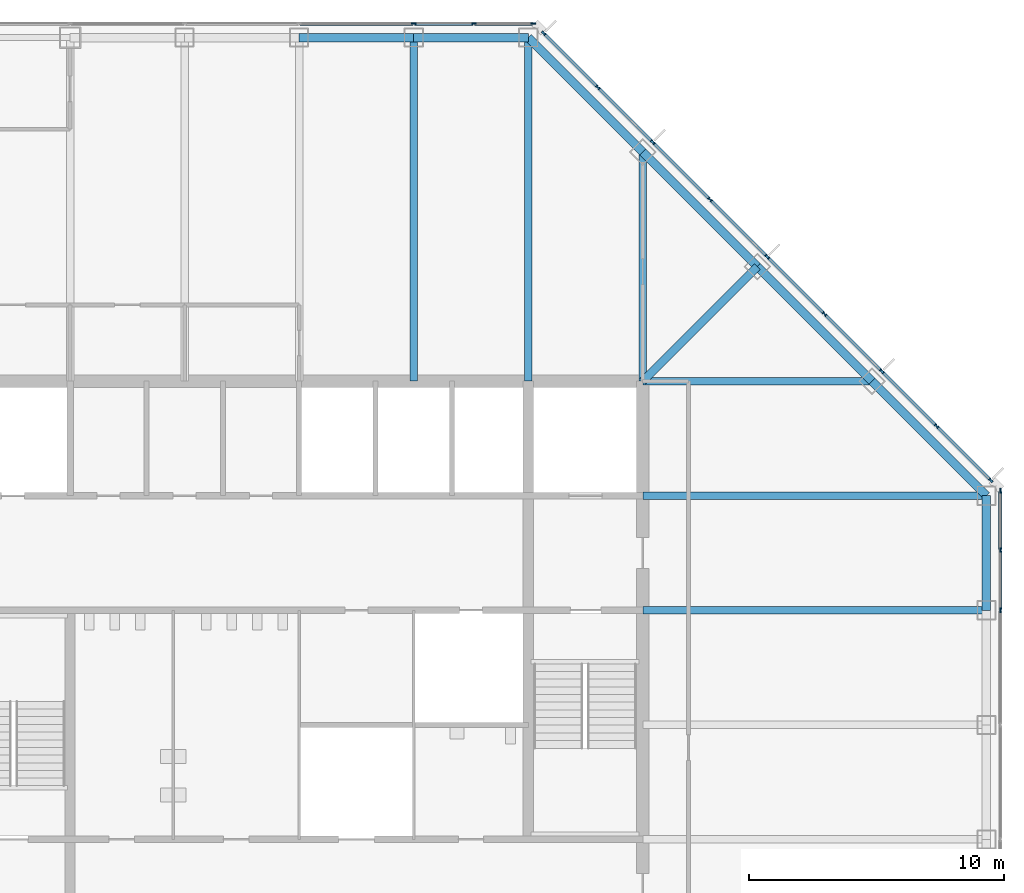
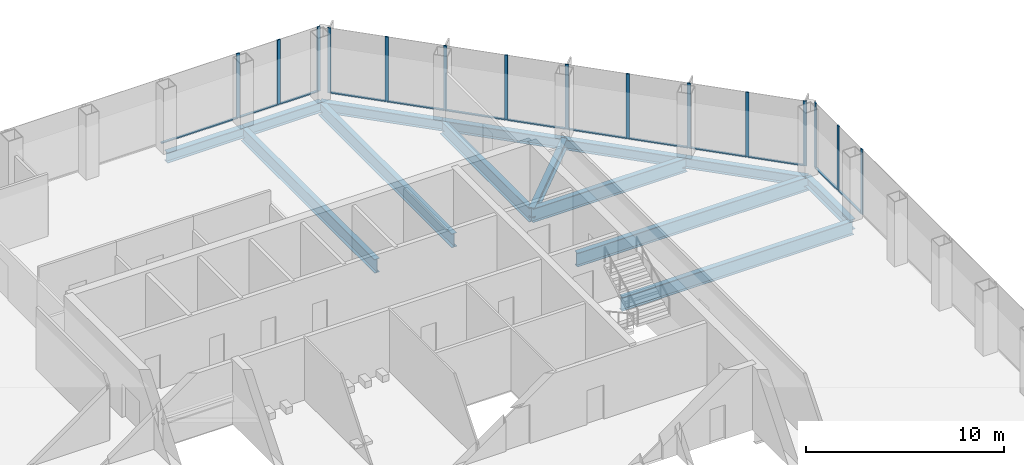
# One storey, part 6 of 12: 28 members, 14 beams, 3 elements without a shape of their own.
"""IFC4 building model written with IfcOpenShell, lengths in metres."""

from ifc_helpers import new_model, si_unit, direction, frame, origin, origin_2d, place, context, subcontext, project, spatial, rectangle, i_section, extrude, material, material_profile, profile_set, type_object, element, aggregate, save


model = new_model("IFC4")

# Units and contexts
model_context = context("Model", 3, precision=1e-05, world=origin(), true_north=direction((0.0, 1.0)))
body_context = subcontext(model_context, "Body", "Model", "MODEL_VIEW")
ifc_project = project(units=[si_unit("LENGTHUNIT", "METRE"), si_unit("AREAUNIT", "SQUARE_METRE"), si_unit("VOLUMEUNIT", "CUBIC_METRE"), si_unit("PLANEANGLEUNIT", "RADIAN"), si_unit("MASSUNIT", "GRAM", prefix="KILO")], contexts=[model_context])

# Site, building, storey
site_placement = place(None, origin())
site = spatial("IfcSite", under=ifc_project, at=site_placement, CompositionType="ELEMENT")
building_placement = place(site_placement, origin())
building = spatial("IfcBuilding", under=site, at=building_placement, Name="Corais Broadcast Tower", CompositionType="ELEMENT")
storey_placement = place(building_placement, frame((0.0, 0.0, 127.60009765625)))
storey = spatial("IfcBuildingStorey", under=building, at=storey_placement, Name="L28", CompositionType="ELEMENT", Elevation=127.60009765625)

# Beams
ifc_material_1 = material(Name="Steel ASTM A572 Grade 50", Category="steel")
ifc_material_profile_1 = material_profile(ifc_material_1, i_section(OverallWidth=0.323974609375, OverallDepth=0.611083984375, WebThickness=0.0126953125, FlangeThickness=0.01904296875, at=origin_2d()), Name="W610x155")
ifc_profile_set_1 = profile_set([ifc_material_profile_1], Name="Steel ASTM A572 Grade 50")
beam_type_1 = type_object("IfcBeamType", Name="Corner diagonal W610x155", PredefinedType="BEAM", material=ifc_profile_set_1)
beam_1_placement = place(storey_placement, frame((45.0, 45.0, -0.465576171875), z_axis=(-0.707106781187, -0.707106781187, 0.0), x_axis=(0.707106781187, -0.707106781187, 0.0)))
element("IfcBeam", 1, at=beam_1_placement, inside=storey, type_object=beam_type_1, Name="B6 L/13 to K/12", PredefinedType="BEAM", context=body_context, shape_type="SweptSolid", body=[
    extrude(i_section(OverallWidth=0.323974609375, OverallDepth=0.611083984375, WebThickness=0.0126953125, FlangeThickness=0.01904296875, at=origin_2d()), origin(), (0.0, 0.0, 1.0), 6.364013671875),
])
ifc_material_2 = material(Name="Steel ASTM A572 Grade 50", Category="steel")
ifc_material_profile_2 = material_profile(ifc_material_2, i_section(OverallWidth=0.2939453125, OverallDepth=0.85107421875, WebThickness=0.01611328125, FlangeThickness=0.02685546875, at=origin_2d()), Name="W840x226")
ifc_profile_set_2 = profile_set([ifc_material_profile_2], Name="Steel ASTM A572 Grade 50")
beam_type_2 = type_object("IfcBeamType", Name="Floor beam W840x226", PredefinedType="BEAM", material=ifc_profile_set_2)
for number, where, z_axis, x_axis, name in (
    (2, (31.5, 54.0, -0.585693359375), (0.0, -1.0, 0.0), (1.0, 0.0, 0.0), "B1 N/10 to K/10"),
    (3, (36.0, 54.0, -0.585693359375), (0.0, -1.0, 0.0), (1.0, 0.0, 0.0), "B1 N/11 to K/11"),
):
    element("IfcBeam", number, at=place(storey_placement, frame(where, z_axis=z_axis, x_axis=x_axis)), inside=storey, type_object=beam_type_2, Name=name, PredefinedType="BEAM", context=body_context, shape_type="SweptSolid", body=[
        extrude(i_section(OverallWidth=0.2939453125, OverallDepth=0.85107421875, WebThickness=0.01611328125, FlangeThickness=0.02685546875, at=origin_2d()), origin(), (0.0, 0.0, 1.0), 13.5),
    ])
for number, where, z_axis, x_axis, name in (
    (4, (40.5, 49.5, -0.585693359375), (0.0, -1.0, 0.0), (1.0, 0.0, 0.0), "B1 M/12 to K/12"),
    (5, (49.5, 40.5, -0.585693359375), (-1.0, 0.0, 0.0), (0.0, -1.0, 0.0), "B1 K/14 to K/12"),
):
    element("IfcBeam", number, at=place(storey_placement, frame(where, z_axis=z_axis, x_axis=x_axis)), inside=storey, type_object=beam_type_2, Name=name, PredefinedType="BEAM", context=body_context, shape_type="SweptSolid", body=[
        extrude(i_section(OverallWidth=0.2939453125, OverallDepth=0.85107421875, WebThickness=0.01611328125, FlangeThickness=0.02685546875, at=origin_2d()), origin(), (0.0, 0.0, 1.0), 9.0),
    ])
for number, where, z_axis, x_axis, name in (
    (6, (54.0, 31.5, -0.585693359375), (-1.0, 0.0, 0.0), (0.0, -1.0, 0.0), "B1 H/15 to H/12"),
    (7, (54.0, 36.0, -0.585693359375), (-1.0, 0.0, 0.0), (0.0, -1.0, 0.0), "B1 J/15 to J/12"),
):
    element("IfcBeam", number, at=place(storey_placement, frame(where, z_axis=z_axis, x_axis=x_axis)), inside=storey, type_object=beam_type_2, Name=name, PredefinedType="BEAM", context=body_context, shape_type="SweptSolid", body=[
        extrude(i_section(OverallWidth=0.2939453125, OverallDepth=0.85107421875, WebThickness=0.01611328125, FlangeThickness=0.02685546875, at=origin_2d()), origin(), (0.0, 0.0, 1.0), 13.5),
    ])

# Curtain wall, members
ifc_material_3 = material(Name="Aluminium and glass", Category="aluminium")
curtain_wall_type = type_object("IfcCurtainWallType", Name="Unitised fritted curtain wall CW2", PredefinedType="NOTDEFINED", material=ifc_material_3)
curtain_wall_1_placement = place(storey_placement, origin())
curtain_wall_1 = element("IfcCurtainWall", 8, at=curtain_wall_1_placement, inside=storey, type_object=curtain_wall_type, Name="CW2 curtain wall L28 4", PredefinedType="NOTDEFINED")
ifc_material_4 = material(Name="Aluminium 6063-T6", Category="aluminium")
ifc_material_profile_3 = material_profile(ifc_material_4, rectangle(XDim=0.06494140625, YDim=0.179931640625, at=origin_2d()), Name="Mullion CW2 65x180")
ifc_profile_set_3 = profile_set([ifc_material_profile_3], Name="Aluminium 6063-T6")
member_type_1 = type_object("IfcMemberType", Name="Mullion CW2 65x180", PredefinedType="MULLION", material=ifc_profile_set_3)
member_1_placement = place(storey_placement, frame((31.5, 54.550048828125, 0.0), z_axis=(0.0, 0.0, 1.0), x_axis=(0.0, 1.0, 0.0)))
member_1 = element("IfcMember", 9, at=member_1_placement, type_object=member_type_1, Name="CW2 mullion 7", PredefinedType="MULLION", context=body_context, shape_type="SweptSolid", body=[
    extrude(rectangle(XDim=0.06494140625, YDim=0.179931640625, at=origin_2d()), origin(), (0.0, 0.0, 1.0), 4.0),
])
member_2_placement = place(storey_placement, frame((33.864013671875, 54.550048828125, 0.0), z_axis=(0.0, 0.0, 1.0), x_axis=(0.0, 1.0, 0.0)))
member_2 = element("IfcMember", 10, at=member_2_placement, type_object=member_type_1, Name="CW2 mullion 8", PredefinedType="MULLION", context=body_context, shape_type="SweptSolid", body=[
    extrude(rectangle(XDim=0.06494140625, YDim=0.179931640625, at=origin_2d()), origin(), (0.0, 0.0, 1.0), 4.0),
])
member_3_placement = place(storey_placement, frame((36.1953125, 54.550048828125, 0.0), z_axis=(0.0, 0.0, 1.0), x_axis=(0.0, 1.0, 0.0)))
member_3 = element("IfcMember", 11, at=member_3_placement, type_object=member_type_1, Name="CW2 mullion 9", PredefinedType="MULLION", context=body_context, shape_type="SweptSolid", body=[
    extrude(rectangle(XDim=0.06494140625, YDim=0.179931640625, at=origin_2d()), origin(), (0.0, 0.0, 1.0), 4.0),
])

curtain_wall_2_placement = place(storey_placement, origin())
curtain_wall_2 = element("IfcCurtainWall", 12, at=curtain_wall_2_placement, inside=storey, type_object=curtain_wall_type, Name="CW2 curtain wall L28 5", PredefinedType="NOTDEFINED")
member_4_placement = place(storey_placement, frame((36.6044921875, 54.17333984375, 0.0), z_axis=(0.0, 0.0, 1.0), x_axis=(0.707106781187, 0.707106781187, 0.0)))
member_4 = element("IfcMember", 13, at=member_4_placement, type_object=member_type_1, Name="CW2 mullion 1", PredefinedType="MULLION", context=body_context, shape_type="SweptSolid", body=[
    extrude(rectangle(XDim=0.06494140625, YDim=0.179931640625, at=origin_2d()), origin(), (0.0, 0.0, 1.0), 4.0),
])
member_5_placement = place(storey_placement, frame((38.735107421875, 52.042724609375, 0.0), z_axis=(0.0, 0.0, 1.0), x_axis=(0.707106781187, 0.707106781187, 0.0)))
member_5 = element("IfcMember", 14, at=member_5_placement, type_object=member_type_1, Name="CW2 mullion 2", PredefinedType="MULLION", context=body_context, shape_type="SweptSolid", body=[
    extrude(rectangle(XDim=0.06494140625, YDim=0.179931640625, at=origin_2d()), origin(), (0.0, 0.0, 1.0), 4.0),
])
member_6_placement = place(storey_placement, frame((40.888916015625, 49.888916015625, 0.0), z_axis=(0.0, 0.0, 1.0), x_axis=(0.707106781187, 0.707106781187, 0.0)))
member_6 = element("IfcMember", 15, at=member_6_placement, type_object=member_type_1, Name="CW2 mullion 3", PredefinedType="MULLION", context=body_context, shape_type="SweptSolid", body=[
    extrude(rectangle(XDim=0.06494140625, YDim=0.179931640625, at=origin_2d()), origin(), (0.0, 0.0, 1.0), 4.0),
])
member_7_placement = place(storey_placement, frame((43.138916015625, 47.638916015625, 0.0), z_axis=(0.0, 0.0, 1.0), x_axis=(0.707106781187, 0.707106781187, 0.0)))
member_7 = element("IfcMember", 16, at=member_7_placement, type_object=member_type_1, Name="CW2 mullion 4", PredefinedType="MULLION", context=body_context, shape_type="SweptSolid", body=[
    extrude(rectangle(XDim=0.06494140625, YDim=0.179931640625, at=origin_2d()), origin(), (0.0, 0.0, 1.0), 4.0),
])
member_8_placement = place(storey_placement, frame((45.388916015625, 45.388916015625, 0.0), z_axis=(0.0, 0.0, 1.0), x_axis=(0.707106781187, 0.707106781187, 0.0)))
member_8 = element("IfcMember", 17, at=member_8_placement, type_object=member_type_1, Name="CW2 mullion 5", PredefinedType="MULLION", context=body_context, shape_type="SweptSolid", body=[
    extrude(rectangle(XDim=0.06494140625, YDim=0.179931640625, at=origin_2d()), origin(), (0.0, 0.0, 1.0), 4.0),
])
member_9_placement = place(storey_placement, frame((47.638916015625, 43.138916015625, 0.0), z_axis=(0.0, 0.0, 1.0), x_axis=(0.707106781187, 0.707106781187, 0.0)))
member_9 = element("IfcMember", 18, at=member_9_placement, type_object=member_type_1, Name="CW2 mullion 6", PredefinedType="MULLION", context=body_context, shape_type="SweptSolid", body=[
    extrude(rectangle(XDim=0.06494140625, YDim=0.179931640625, at=origin_2d()), origin(), (0.0, 0.0, 1.0), 4.0),
])
member_10_placement = place(storey_placement, frame((49.888916015625, 40.888916015625, 0.0), z_axis=(0.0, 0.0, 1.0), x_axis=(0.707106781187, 0.707106781187, 0.0)))
member_10 = element("IfcMember", 19, at=member_10_placement, type_object=member_type_1, Name="CW2 mullion 7", PredefinedType="MULLION", context=body_context, shape_type="SweptSolid", body=[
    extrude(rectangle(XDim=0.06494140625, YDim=0.179931640625, at=origin_2d()), origin(), (0.0, 0.0, 1.0), 4.0),
])
member_11_placement = place(storey_placement, frame((52.042724609375, 38.735107421875, 0.0), z_axis=(0.0, 0.0, 1.0), x_axis=(0.707106781187, 0.707106781187, 0.0)))
member_11 = element("IfcMember", 20, at=member_11_placement, type_object=member_type_1, Name="CW2 mullion 8", PredefinedType="MULLION", context=body_context, shape_type="SweptSolid", body=[
    extrude(rectangle(XDim=0.06494140625, YDim=0.179931640625, at=origin_2d()), origin(), (0.0, 0.0, 1.0), 4.0),
])
member_12_placement = place(storey_placement, frame((54.17333984375, 36.6044921875, 0.0), z_axis=(0.0, 0.0, 1.0), x_axis=(0.707106781187, 0.707106781187, 0.0)))
member_12 = element("IfcMember", 21, at=member_12_placement, type_object=member_type_1, Name="CW2 mullion 9", PredefinedType="MULLION", context=body_context, shape_type="SweptSolid", body=[
    extrude(rectangle(XDim=0.06494140625, YDim=0.179931640625, at=origin_2d()), origin(), (0.0, 0.0, 1.0), 4.0),
])

curtain_wall_3_placement = place(storey_placement, origin())
curtain_wall_3 = element("IfcCurtainWall", 22, at=curtain_wall_3_placement, inside=storey, type_object=curtain_wall_type, Name="CW2 curtain wall L28 6", PredefinedType="NOTDEFINED")
member_13_placement = place(storey_placement, frame((54.550048828125, 36.1953125, 0.0), z_axis=(0.0, 0.0, 1.0), x_axis=(1.0, 0.0, 0.0)))
member_13 = element("IfcMember", 23, at=member_13_placement, type_object=member_type_1, Name="CW2 mullion 1", PredefinedType="MULLION", context=body_context, shape_type="SweptSolid", body=[
    extrude(rectangle(XDim=0.06494140625, YDim=0.179931640625, at=origin_2d()), origin(), (0.0, 0.0, 1.0), 4.0),
])
member_14_placement = place(storey_placement, frame((54.550048828125, 33.864013671875, 0.0), z_axis=(0.0, 0.0, 1.0), x_axis=(1.0, 0.0, 0.0)))
member_14 = element("IfcMember", 24, at=member_14_placement, type_object=member_type_1, Name="CW2 mullion 2", PredefinedType="MULLION", context=body_context, shape_type="SweptSolid", body=[
    extrude(rectangle(XDim=0.06494140625, YDim=0.179931640625, at=origin_2d()), origin(), (0.0, 0.0, 1.0), 4.0),
])
member_15_placement = place(storey_placement, frame((54.550048828125, 31.5, 0.0), z_axis=(0.0, 0.0, 1.0), x_axis=(1.0, 0.0, 0.0)))
member_15 = element("IfcMember", 25, at=member_15_placement, type_object=member_type_1, Name="CW2 mullion 3", PredefinedType="MULLION", context=body_context, shape_type="SweptSolid", body=[
    extrude(rectangle(XDim=0.06494140625, YDim=0.179931640625, at=origin_2d()), origin(), (0.0, 0.0, 1.0), 4.0),
])

# Beams
ifc_material_5 = material(Name="Steel ASTM A572 Grade 50", Category="steel")
ifc_material_profile_4 = material_profile(ifc_material_5, i_section(OverallWidth=0.3291015625, OverallDepth=0.635009765625, WebThickness=0.017822265625, FlangeThickness=0.031005859375, at=origin_2d()), Name="W610x241")
ifc_profile_set_4 = profile_set([ifc_material_profile_4], Name="Steel ASTM A572 Grade 50")
beam_type_3 = type_object("IfcBeamType", Name="Spandrel W610x241", PredefinedType="BEAM", material=ifc_profile_set_4)
for number, where, z_axis, x_axis, name in (
    (26, (31.5, 54.0, -0.4775390625), (-1.0, 0.0, 0.0), (0.0, -1.0, 0.0), "SB1 N/10 to N/9"),
    (27, (36.0, 54.0, -0.4775390625), (-1.0, 0.0, 0.0), (0.0, -1.0, 0.0), "SB1 N/11 to N/10"),
):
    element("IfcBeam", number, at=place(storey_placement, frame(where, z_axis=z_axis, x_axis=x_axis)), inside=storey, type_object=beam_type_3, Name=name, PredefinedType="BEAM", context=body_context, shape_type="SweptSolid", body=[
        extrude(i_section(OverallWidth=0.3291015625, OverallDepth=0.635009765625, WebThickness=0.017822265625, FlangeThickness=0.031005859375, at=origin_2d()), origin(), (0.0, 0.0, 1.0), 4.5),
    ])
for number, where, z_axis, x_axis, name in (
    (28, (40.5, 49.5, -0.4775390625), (-0.707106781187, 0.707106781187, 0.0), (-0.707106781187, -0.707106781187, 0.0), "SB1 M/12 to N/11"),
    (29, (45.0, 45.0, -0.4775390625), (-0.707106781187, 0.707106781187, 0.0), (-0.707106781187, -0.707106781187, 0.0), "SB1 L/13 to M/12"),
    (30, (49.5, 40.5, -0.4775390625), (-0.707106781187, 0.707106781187, 0.0), (-0.707106781187, -0.707106781187, 0.0), "SB1 K/14 to L/13"),
):
    element("IfcBeam", number, at=place(storey_placement, frame(where, z_axis=z_axis, x_axis=x_axis)), inside=storey, type_object=beam_type_3, Name=name, PredefinedType="BEAM", context=body_context, shape_type="SweptSolid", body=[
        extrude(i_section(OverallWidth=0.3291015625, OverallDepth=0.635009765625, WebThickness=0.017822265625, FlangeThickness=0.031005859375, at=origin_2d()), origin(), (0.0, 0.0, 1.0), 6.364013671875),
    ])
beam_2_placement = place(storey_placement, frame((54.0, 31.5, -0.4775390625), z_axis=(0.0, 1.0, 0.0), x_axis=(-1.0, 0.0, 0.0)))
element("IfcBeam", 31, at=beam_2_placement, inside=storey, type_object=beam_type_3, Name="SB1 H/15 to J/15", PredefinedType="BEAM", context=body_context, shape_type="SweptSolid", body=[
    extrude(i_section(OverallWidth=0.3291015625, OverallDepth=0.635009765625, WebThickness=0.017822265625, FlangeThickness=0.031005859375, at=origin_2d()), origin(), (0.0, 0.0, 1.0), 4.5),
])
beam_3_placement = place(storey_placement, frame((54.0, 36.0, -0.4775390625), z_axis=(-0.707106781187, 0.707106781187, 0.0), x_axis=(-0.707106781187, -0.707106781187, 0.0)))
element("IfcBeam", 32, at=beam_3_placement, inside=storey, type_object=beam_type_3, Name="SB1 J/15 to K/14", PredefinedType="BEAM", context=body_context, shape_type="SweptSolid", body=[
    extrude(i_section(OverallWidth=0.3291015625, OverallDepth=0.635009765625, WebThickness=0.017822265625, FlangeThickness=0.031005859375, at=origin_2d()), origin(), (0.0, 0.0, 1.0), 6.364013671875),
])

# Member
ifc_material_6 = material(Name="Aluminium 6063-T6", Category="aluminium")
ifc_material_profile_5 = material_profile(ifc_material_6, rectangle(XDim=0.1298828125, YDim=0.06494140625, at=origin_2d()), Name="Transom CW2 65x130")
ifc_profile_set_5 = profile_set([ifc_material_profile_5], Name="Aluminium 6063-T6")
member_type_2 = type_object("IfcMemberType", Name="Transom CW2 65x130", PredefinedType="USERDEFINED", material=ifc_profile_set_5)
member_16_placement = place(storey_placement, frame((27.032470703125, 54.550048828125, 0.032470703125), z_axis=(1.0, 0.0, 0.0), x_axis=(0.0, 1.0, 0.0)))
member_16 = element("IfcMember", 33, at=member_16_placement, type_object=member_type_2, Name="CW2 transom 6.1", ObjectType="TRANSOM", PredefinedType="USERDEFINED", context=body_context, shape_type="SweptSolid", body=[
    extrude(rectangle(XDim=0.1298828125, YDim=0.06494140625, at=origin_2d()), origin(), (0.0, 0.0, 1.0), 4.43505859375),
])

member_17_placement = place(storey_placement, frame((31.532470703125, 54.550048828125, 0.032470703125), z_axis=(1.0, 0.0, 0.0), x_axis=(0.0, 1.0, 0.0)))
member_17 = element("IfcMember", 34, at=member_17_placement, type_object=member_type_2, Name="CW2 transom 7.1", ObjectType="TRANSOM", PredefinedType="USERDEFINED", context=body_context, shape_type="SweptSolid", body=[
    extrude(rectangle(XDim=0.1298828125, YDim=0.06494140625, at=origin_2d()), origin(), (0.0, 0.0, 1.0), 2.298828125),
])

member_18_placement = place(storey_placement, frame((33.896484375, 54.550048828125, 0.032470703125), z_axis=(1.0, 0.0, 0.0), x_axis=(0.0, 1.0, 0.0)))
member_18 = element("IfcMember", 35, at=member_18_placement, type_object=member_type_2, Name="CW2 transom 8.1", ObjectType="TRANSOM", PredefinedType="USERDEFINED", context=body_context, shape_type="SweptSolid", body=[
    extrude(rectangle(XDim=0.1298828125, YDim=0.06494140625, at=origin_2d()), origin(), (0.0, 0.0, 1.0), 2.266357421875),
])

aggregate(curtain_wall_1, [member_1, member_2, member_3, member_16, member_17, member_18])

member_19_placement = place(storey_placement, frame((36.62744140625, 54.150390625, 0.032470703125), z_axis=(0.707106781187, -0.707106781187, 0.0), x_axis=(0.707106781187, 0.707106781187, 0.0)))
member_19 = element("IfcMember", 36, at=member_19_placement, type_object=member_type_2, Name="CW2 transom 1.1", ObjectType="TRANSOM", PredefinedType="USERDEFINED", context=body_context, shape_type="SweptSolid", body=[
    extrude(rectangle(XDim=0.1298828125, YDim=0.06494140625, at=origin_2d()), origin(), (0.0, 0.0, 1.0), 2.9482421875),
])

member_20_placement = place(storey_placement, frame((38.758056640625, 52.019775390625, 0.032470703125), z_axis=(0.707106781187, -0.707106781187, 0.0), x_axis=(0.707106781187, 0.707106781187, 0.0)))
member_20 = element("IfcMember", 37, at=member_20_placement, type_object=member_type_2, Name="CW2 transom 2.1", ObjectType="TRANSOM", PredefinedType="USERDEFINED", context=body_context, shape_type="SweptSolid", body=[
    extrude(rectangle(XDim=0.1298828125, YDim=0.06494140625, at=origin_2d()), origin(), (0.0, 0.0, 1.0), 2.98095703125),
])

member_21_placement = place(storey_placement, frame((40.911865234375, 49.865966796875, 0.032470703125), z_axis=(0.707106781187, -0.707106781187, 0.0), x_axis=(0.707106781187, 0.707106781187, 0.0)))
member_21 = element("IfcMember", 38, at=member_21_placement, type_object=member_type_2, Name="CW2 transom 3.1", ObjectType="TRANSOM", PredefinedType="USERDEFINED", context=body_context, shape_type="SweptSolid", body=[
    extrude(rectangle(XDim=0.1298828125, YDim=0.06494140625, at=origin_2d()), origin(), (0.0, 0.0, 1.0), 3.1171875),
])

member_22_placement = place(storey_placement, frame((43.161865234375, 47.615966796875, 0.032470703125), z_axis=(0.707106781187, -0.707106781187, 0.0), x_axis=(0.707106781187, 0.707106781187, 0.0)))
member_22 = element("IfcMember", 39, at=member_22_placement, type_object=member_type_2, Name="CW2 transom 4.1", ObjectType="TRANSOM", PredefinedType="USERDEFINED", context=body_context, shape_type="SweptSolid", body=[
    extrude(rectangle(XDim=0.1298828125, YDim=0.06494140625, at=origin_2d()), origin(), (0.0, 0.0, 1.0), 3.1171875),
])

member_23_placement = place(storey_placement, frame((45.411865234375, 45.365966796875, 0.032470703125), z_axis=(0.707106781187, -0.707106781187, 0.0), x_axis=(0.707106781187, 0.707106781187, 0.0)))
member_23 = element("IfcMember", 40, at=member_23_placement, type_object=member_type_2, Name="CW2 transom 5.1", ObjectType="TRANSOM", PredefinedType="USERDEFINED", context=body_context, shape_type="SweptSolid", body=[
    extrude(rectangle(XDim=0.1298828125, YDim=0.06494140625, at=origin_2d()), origin(), (0.0, 0.0, 1.0), 3.1171875),
])

member_24_placement = place(storey_placement, frame((47.661865234375, 43.115966796875, 0.032470703125), z_axis=(0.707106781187, -0.707106781187, 0.0), x_axis=(0.707106781187, 0.707106781187, 0.0)))
member_24 = element("IfcMember", 41, at=member_24_placement, type_object=member_type_2, Name="CW2 transom 6.1", ObjectType="TRANSOM", PredefinedType="USERDEFINED", context=body_context, shape_type="SweptSolid", body=[
    extrude(rectangle(XDim=0.1298828125, YDim=0.06494140625, at=origin_2d()), origin(), (0.0, 0.0, 1.0), 3.1171875),
])

member_25_placement = place(storey_placement, frame((49.911865234375, 40.865966796875, 0.032470703125), z_axis=(0.707065828661, -0.70714773134, 0.0), x_axis=(0.70714773134, 0.707065828661, 0.0)))
member_25 = element("IfcMember", 42, at=member_25_placement, type_object=member_type_2, Name="CW2 transom 7.1", ObjectType="TRANSOM", PredefinedType="USERDEFINED", context=body_context, shape_type="SweptSolid", body=[
    extrude(rectangle(XDim=0.1298828125, YDim=0.06494140625, at=origin_2d()), origin(), (0.0, 0.0, 1.0), 2.98095703125),
])

member_26_placement = place(storey_placement, frame((52.065673828125, 38.712158203125, 0.032470703125), z_axis=(0.707106781187, -0.707106781187, 0.0), x_axis=(0.707106781187, 0.707106781187, 0.0)))
member_26 = element("IfcMember", 43, at=member_26_placement, type_object=member_type_2, Name="CW2 transom 8.1", ObjectType="TRANSOM", PredefinedType="USERDEFINED", context=body_context, shape_type="SweptSolid", body=[
    extrude(rectangle(XDim=0.1298828125, YDim=0.06494140625, at=origin_2d()), origin(), (0.0, 0.0, 1.0), 2.9482421875),
])

aggregate(curtain_wall_2, [member_4, member_5, member_6, member_7, member_8, member_9, member_10, member_11, member_12, member_19, member_20, member_21, member_22, member_23, member_24, member_25, member_26])

member_27_placement = place(storey_placement, frame((54.550048828125, 36.162841796875, 0.032470703125), z_axis=(0.0, -1.0, 0.0), x_axis=(1.0, 0.0, 0.0)))
member_27 = element("IfcMember", 44, at=member_27_placement, type_object=member_type_2, Name="CW2 transom 1.1", ObjectType="TRANSOM", PredefinedType="USERDEFINED", context=body_context, shape_type="SweptSolid", body=[
    extrude(rectangle(XDim=0.1298828125, YDim=0.06494140625, at=origin_2d()), origin(), (0.0, 0.0, 1.0), 2.266357421875),
])

member_28_placement = place(storey_placement, frame((54.550048828125, 33.831298828125, 0.032470703125), z_axis=(0.0, -1.0, 0.0), x_axis=(1.0, 0.0, 0.0)))
member_28 = element("IfcMember", 45, at=member_28_placement, type_object=member_type_2, Name="CW2 transom 2.1", ObjectType="TRANSOM", PredefinedType="USERDEFINED", context=body_context, shape_type="SweptSolid", body=[
    extrude(rectangle(XDim=0.1298828125, YDim=0.06494140625, at=origin_2d()), origin(), (0.0, 0.0, 1.0), 2.298828125),
])

aggregate(curtain_wall_3, [member_13, member_14, member_15, member_27, member_28])

save(model, "model.ifc")
